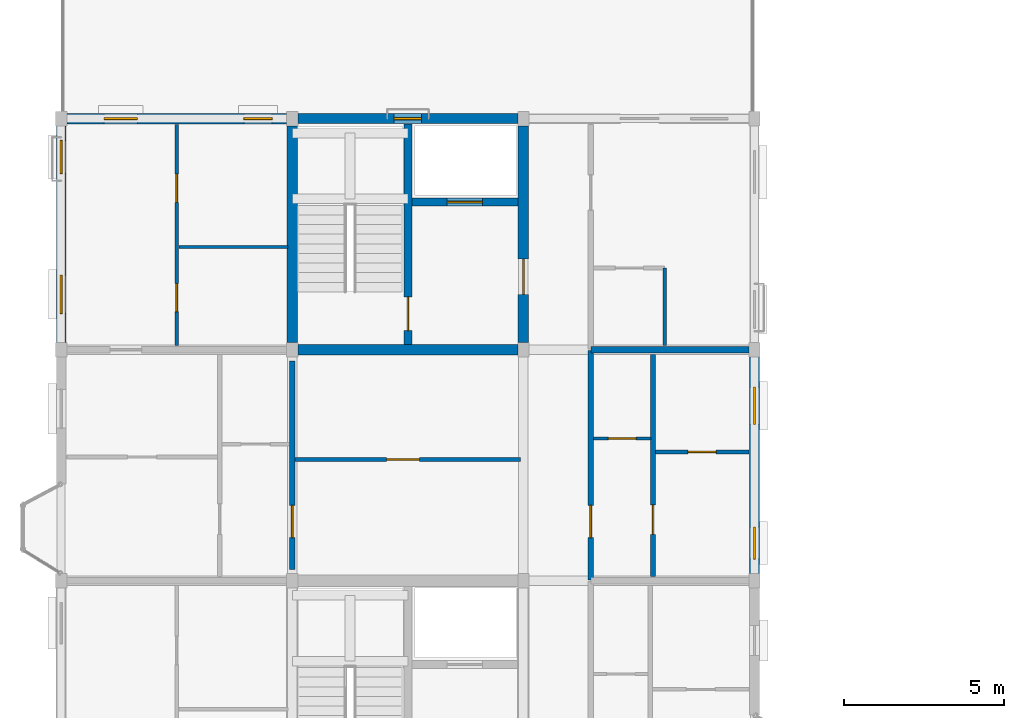
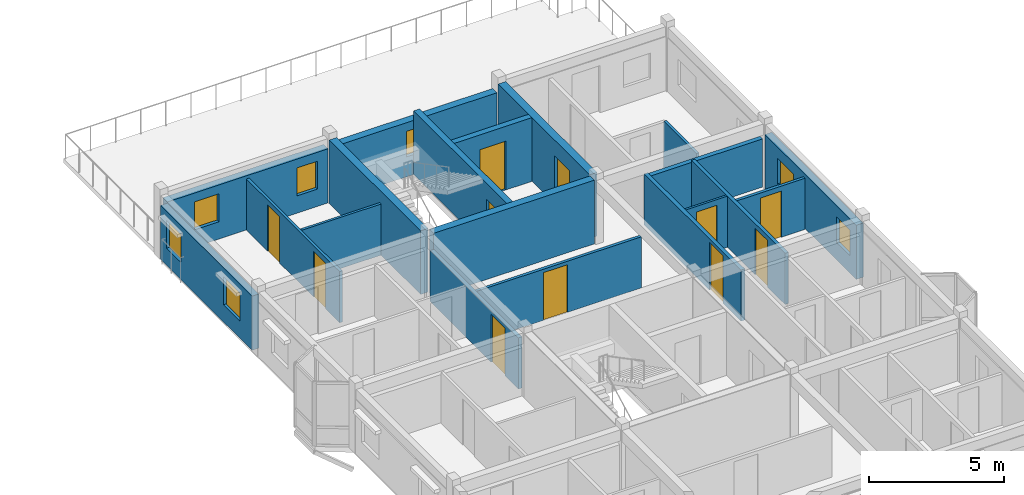
# One storey, part 18 of 22: 19 walls, 11 doors, 7 windows, 18 openings.
"""IFC4 building model written with IfcOpenShell, lengths in metres."""

from ifc_helpers import new_model, si_unit, direction, frame, frame_2d, origin, place, context, subcontext, project, spatial, rectangle, extrude, material, layer, layer_set, type_object, element, fill, save


model = new_model("IFC4")

# Units and contexts
model_context = context("Model", 3, precision=1e-05, world=origin(), true_north=direction((0.0, 1.0)))
body_context = subcontext(model_context, "Body", "Model", "MODEL_VIEW")
ifc_project = project(units=[si_unit("LENGTHUNIT", "METRE"), si_unit("AREAUNIT", "SQUARE_METRE"), si_unit("VOLUMEUNIT", "CUBIC_METRE"), si_unit("PLANEANGLEUNIT", "RADIAN"), si_unit("MASSUNIT", "GRAM", prefix="KILO"), si_unit("THERMODYNAMICTEMPERATUREUNIT", "KELVIN"), si_unit("POWERUNIT", "WATT")], contexts=[model_context])

# Site, building, storey
site_placement = place(None, origin())
site = spatial("IfcSite", under=ifc_project, at=site_placement, CompositionType="ELEMENT")
building_placement = place(site_placement, origin())
building = spatial("IfcBuilding", under=site, at=building_placement, Name="Tavuni Mirador Residences", CompositionType="ELEMENT")
storey_placement = place(building_placement, frame((0.0, 0.0, 45.449951171875)))
storey = spatial("IfcBuildingStorey", under=building, at=storey_placement, Name="L14", CompositionType="ELEMENT", Elevation=45.449951171875)

# Wall, opening, door
ifc_material_1 = material(Name="Precast concrete C40/50", Category="concrete")
ifc_layer_1 = layer(ifc_material_1, 0.25, Name="Precast concrete C40/50", Category="concrete")
ifc_layer_set_1 = layer_set([ifc_layer_1], Name="Precast concrete C40/50")
wall_type_1 = type_object("IfcWallType", Name="WT-COR250", PredefinedType="SHEAR", material=ifc_layer_set_1)
wall_1_placement = place(storey_placement, frame((14.39990234375, 28.9599609375, 0.0), z_axis=(0.0, 0.0, 1.0), x_axis=(0.0, 1.0, 0.0)))
wall_1 = element("IfcWall", 1, at=wall_1_placement, inside=storey, type_object=wall_type_1, Name="CWALL-C2-L14-MID", PredefinedType="SHEAR", context=body_context, shape_type="SweptSolid", body=[
    extrude(rectangle(XDim=6.880126953125, YDim=0.25, at=frame_2d((3.43994140625, 0.0))), origin(), (0.0, 0.0, 1.0), 2.8701171875),
])
opening_1_placement = place(wall_1_placement, frame((0.43994140625, 0.0, 0.0)))
opening_1 = element("IfcOpeningElement", 2, at=opening_1_placement, cuts=wall_1, Name="Opening D-01", PredefinedType="OPENING", context=body_context, shape_type="SweptSolid", body=[
    extrude(rectangle(XDim=1.050048828125, YDim=2.14990234375, at=frame_2d((0.52490234375, 1.074951171875))), frame((0.0, 0.135009765625, 0.0), z_axis=(0.0, -1.0, 0.0), x_axis=(1.0, 0.0, 0.0)), (0.0, 0.0, 1.0), 0.27001953125),
])
ifc_material_2 = material(Name="Solid core iroko timber", Category="wood")
door_type_1 = type_object("IfcDoorType", Name="DT-ST1050", OperationType="NOTDEFINED", PredefinedType="DOOR", material=ifc_material_2)
door_1_placement = place(opening_1_placement, origin())
door_1 = element("IfcDoor", 3, at=door_1_placement, inside=storey, type_object=door_type_1, Name="DR-2102", OperationType="SINGLE_SWING_RIGHT", OverallHeight=2.14990234375, OverallWidth=1.050048828125, PredefinedType="DOOR", context=body_context, shape_type="SweptSolid", body=[
    extrude(rectangle(XDim=1.050048828125, YDim=2.14990234375, at=frame_2d((0.52490234375, 1.074951171875))), frame((0.0, 0.02490234375, 0.0), z_axis=(0.0, -1.0, 0.0), x_axis=(1.0, 0.0, 0.0)), (0.0, 0.0, 1.0), 0.050048828125),
])
fill(opening_1, door_1)

wall_2_placement = place(storey_placement, frame((14.52490234375, 33.39990234375, 0.0), z_axis=(0.0, 0.0, 1.0), x_axis=(1.0, 0.0, 0.0)))
wall_2 = element("IfcWall", 4, at=wall_2_placement, inside=storey, type_object=wall_type_1, Name="CWALL-C2-L14-SHF", PredefinedType="SHEAR", context=body_context, shape_type="SweptSolid", body=[
    extrude(rectangle(XDim=3.315185546875, YDim=0.25, at=frame_2d((1.65771484375, 0.0))), origin(), (0.0, 0.0, 1.0), 2.8701171875),
])
opening_2_placement = place(wall_2_placement, frame((1.10009765625, 0.0, 0.0)))
opening_2 = element("IfcOpeningElement", 5, at=opening_2_placement, cuts=wall_2, Name="Opening LD-01", PredefinedType="OPENING", context=body_context, shape_type="SweptSolid", body=[
    extrude(rectangle(XDim=1.10009765625, YDim=2.199951171875, at=frame_2d((0.550048828125, 1.10009765625))), frame((0.0, 0.135009765625, 0.0), z_axis=(0.0, -1.0, 0.0), x_axis=(1.0, 0.0, 0.0)), (0.0, 0.0, 1.0), 0.27001953125),
])
ifc_material_3 = material(Name="Structural steel S355", Category="steel")
door_type_2 = type_object("IfcDoorType", Name="DT-LD-FF", OperationType="SLIDING_TO_LEFT", PredefinedType="DOOR", material=ifc_material_3)
door_2_placement = place(opening_2_placement, origin())
door_2 = element("IfcDoor", 6, at=door_2_placement, inside=storey, type_object=door_type_2, Name="Lift landing door FL-A2 L14", OperationType="SLIDING_TO_LEFT", OverallHeight=2.199951171875, OverallWidth=1.10009765625, PredefinedType="DOOR", context=body_context, shape_type="SweptSolid", body=[
    extrude(rectangle(XDim=1.10009765625, YDim=2.199951171875, at=frame_2d((0.550048828125, 1.10009765625))), frame((0.0, 0.02490234375, 0.0), z_axis=(0.0, -1.0, 0.0), x_axis=(1.0, 0.0, 0.0)), (0.0, 0.0, 1.0), 0.050048828125),
])
fill(opening_2, door_2)

# Wall
ifc_layer_2 = layer(ifc_material_1, 0.320068359375, Name="Precast concrete C40/50", Category="concrete")
ifc_layer_set_2 = layer_set([ifc_layer_2], Name="Precast concrete C40/50")
wall_type_2 = type_object("IfcWallType", Name="WT-COR320", PredefinedType="SHEAR", material=ifc_layer_set_2)
wall_3_placement = place(storey_placement, frame((10.800048828125, 29.02490234375, 0.0), z_axis=(0.0, 0.0, 1.0), x_axis=(0.0, 1.0, 0.0)))
element("IfcWall", 7, at=wall_3_placement, inside=storey, type_object=wall_type_2, Name="CWALL-C2-L14-W", PredefinedType="SHEAR", context=body_context, shape_type="SweptSolid", body=[
    extrude(rectangle(XDim=6.75, YDim=0.320068359375, at=frame_2d((3.375, 0.0))), origin(), (0.0, 0.0, 1.0), 2.8701171875),
])

# Wall, opening, door
wall_4_placement = place(storey_placement, frame((18.0, 29.02490234375, 0.0), z_axis=(0.0, 0.0, 1.0), x_axis=(0.0, 1.0, 0.0)))
wall_4 = element("IfcWall", 8, at=wall_4_placement, inside=storey, type_object=wall_type_2, Name="CWALL-C2-L14-E", PredefinedType="SHEAR", context=body_context, shape_type="SweptSolid", body=[
    extrude(rectangle(XDim=6.75, YDim=0.320068359375, at=frame_2d((3.375, 0.0))), origin(), (0.0, 0.0, 1.0), 2.8701171875),
])
opening_3_placement = place(wall_4_placement, frame((1.5, 0.0, 0.0)))
opening_3 = element("IfcOpeningElement", 9, at=opening_3_placement, cuts=wall_4, Name="Opening D-02", PredefinedType="OPENING", context=body_context, shape_type="SweptSolid", body=[
    extrude(rectangle(XDim=1.10009765625, YDim=2.14990234375, at=frame_2d((0.550048828125, 1.074951171875))), frame((0.0, 0.169921875, 0.0), z_axis=(0.0, -1.0, 0.0), x_axis=(1.0, 0.0, 0.0)), (0.0, 0.0, 1.0), 0.340087890625),
])
door_type_3 = type_object("IfcDoorType", Name="DT-LOB1100", OperationType="NOTDEFINED", PredefinedType="DOOR", material=ifc_material_2)
door_3_placement = place(opening_3_placement, frame((1.10009765625, 0.0, 0.0), z_axis=(0.0, 0.0, 1.0), x_axis=(-1.0, 0.0, 0.0)))
door_3 = element("IfcDoor", 10, at=door_3_placement, inside=storey, type_object=door_type_3, Name="DR-2101", OperationType="SINGLE_SWING_RIGHT", OverallHeight=2.14990234375, OverallWidth=1.10009765625, PredefinedType="DOOR", context=body_context, shape_type="SweptSolid", body=[
    extrude(rectangle(XDim=1.10009765625, YDim=2.14990234375, at=frame_2d((0.550048828125, 1.074951171875))), frame((0.0, 0.02490234375, 0.0), z_axis=(0.0, -1.0, 0.0), x_axis=(1.0, 0.0, 0.0)), (0.0, 0.0, 1.0), 0.050048828125),
])
fill(opening_3, door_3)

# Wall
wall_5_placement = place(storey_placement, frame((10.97509765625, 28.800048828125, 0.0), z_axis=(0.0, 0.0, 1.0), x_axis=(1.0, 0.0, 0.0)))
element("IfcWall", 11, at=wall_5_placement, inside=storey, type_object=wall_type_2, Name="CWALL-C2-L14-SS", PredefinedType="SHEAR", context=body_context, shape_type="SweptSolid", body=[
    extrude(rectangle(XDim=6.849853515625, YDim=0.320068359375, at=frame_2d((3.4248046875, 0.0))), origin(), (0.0, 0.0, 1.0), 2.8701171875),
])

# Wall, opening, door
ifc_layer_3 = layer(ifc_material_1, 0.1650390625, Name="Precast concrete C40/50", Category="concrete")
ifc_layer_set_3 = layer_set([ifc_layer_3], Name="Precast concrete C40/50")
wall_type_3 = type_object("IfcWallType", Name="WT-CORR165", PredefinedType="PARTITIONING", material=ifc_layer_set_3)
wall_6_placement = place(storey_placement, frame((20.10009765625, 21.6201171875, 0.0), z_axis=(0.0, 0.0, 1.0), x_axis=(0.0, 1.0, 0.0)))
wall_6 = element("IfcWall", 12, at=wall_6_placement, inside=storey, type_object=wall_type_3, Name="CORW-BLK-A-L14-0-02", PredefinedType="PARTITIONING", context=body_context, shape_type="SweptSolid", body=[
    extrude(rectangle(XDim=7.159912109375, YDim=0.1650390625, at=frame_2d((3.580078125, 0.0))), origin(), (0.0, 0.0, 1.0), 2.304931640625),
])
opening_4_placement = place(wall_6_placement, frame((1.330078125, 0.0, 0.0)))
opening_4 = element("IfcOpeningElement", 13, at=opening_4_placement, cuts=wall_6, Name="Opening D-03", PredefinedType="OPENING", context=body_context, shape_type="SweptSolid", body=[
    extrude(rectangle(XDim=1.0, YDim=2.14990234375, at=frame_2d((0.5, 1.074951171875))), frame((0.0, 0.092529296875, 0.0), z_axis=(0.0, -1.0, 0.0), x_axis=(1.0, 0.0, 0.0)), (0.0, 0.0, 1.0), 0.18505859375),
])
door_type_4 = type_object("IfcDoorType", Name="DT-FD60-1000", OperationType="NOTDEFINED", PredefinedType="DOOR", material=ifc_material_2)
door_4_placement = place(opening_4_placement, origin())
door_4 = element("IfcDoor", 14, at=door_4_placement, inside=storey, type_object=door_type_4, Name="DR-2511", OperationType="SINGLE_SWING_RIGHT", OverallHeight=2.14990234375, OverallWidth=1.0, PredefinedType="DOOR", context=body_context, shape_type="SweptSolid", body=[
    extrude(rectangle(XDim=1.0, YDim=2.14990234375, at=frame_2d((0.5, 1.074951171875))), frame((0.0, 0.02490234375, 0.0), z_axis=(0.0, -1.0, 0.0), x_axis=(1.0, 0.0, 0.0)), (0.0, 0.0, 1.0), 0.050048828125),
])
fill(opening_4, door_4)

wall_7_placement = place(storey_placement, frame((10.800048828125, 21.949951171875, 0.0), z_axis=(0.0, 0.0, 1.0), x_axis=(0.0, 1.0, 0.0)))
wall_7 = element("IfcWall", 15, at=wall_7_placement, inside=storey, type_object=wall_type_3, Name="CORW-BLK-A-L14-1-02", PredefinedType="PARTITIONING", context=body_context, shape_type="SweptSolid", body=[
    extrude(rectangle(XDim=6.5, YDim=0.1650390625, at=frame_2d((3.25, 0.0))), origin(), (0.0, 0.0, 1.0), 2.304931640625),
])
opening_5_placement = place(wall_7_placement, frame((1.0, 0.0, 0.0)))
opening_5 = element("IfcOpeningElement", 16, at=opening_5_placement, cuts=wall_7, Name="Opening D-03", PredefinedType="OPENING", context=body_context, shape_type="SweptSolid", body=[
    extrude(rectangle(XDim=1.0, YDim=2.14990234375, at=frame_2d((0.5, 1.074951171875))), frame((0.0, 0.092529296875, 0.0), z_axis=(0.0, -1.0, 0.0), x_axis=(1.0, 0.0, 0.0)), (0.0, 0.0, 1.0), 0.18505859375),
])
door_5_placement = place(opening_5_placement, origin())
door_5 = element("IfcDoor", 17, at=door_5_placement, inside=storey, type_object=door_type_4, Name="DR-2514", OperationType="SINGLE_SWING_LEFT", OverallHeight=2.14990234375, OverallWidth=1.0, PredefinedType="DOOR", context=body_context, shape_type="SweptSolid", body=[
    extrude(rectangle(XDim=1.0, YDim=2.14990234375, at=frame_2d((0.5, 1.074951171875))), frame((0.0, 0.02490234375, 0.0), z_axis=(0.0, -1.0, 0.0), x_axis=(1.0, 0.0, 0.0)), (0.0, 0.0, 1.0), 0.050048828125),
])
fill(opening_5, door_5)

# Wall, openings, windows
ifc_layer_4 = layer(ifc_material_1, 0.330078125, Name="Precast concrete C40/50", Category="concrete")
ifc_layer_set_4 = layer_set([ifc_layer_4], Name="Precast concrete C40/50")
wall_type_4 = type_object("IfcWallType", Name="WT-EXT-COR330", PredefinedType="SOLIDWALL", material=ifc_layer_set_4)
wall_8_placement = place(storey_placement, frame((10.625, 36.0, 0.0), z_axis=(0.0, 0.0, 1.0), x_axis=(-1.0, 0.0, 0.0)))
wall_8 = element("IfcWall", 18, at=wall_8_placement, inside=storey, type_object=wall_type_4, Name="EW-BLK-A-L14-N00", PredefinedType="SOLIDWALL", context=body_context, shape_type="SweptSolid", body=[
    extrude(rectangle(XDim=6.85009765625, YDim=0.330078125, at=frame_2d((3.425048828125, 0.0))), origin(), (0.0, 0.0, 1.0), 2.43994140625),
])
opening_6_placement = place(wall_8_placement, frame((0.449951171875, 0.0, 0.780029296875)))
opening_6 = element("IfcOpeningElement", 19, at=opening_6_placement, cuts=wall_8, Name="Opening WN-09", PredefinedType="OPENING", context=body_context, shape_type="SweptSolid", body=[
    extrude(rectangle(XDim=0.8798828125, YDim=1.260009765625, at=frame_2d((0.43994140625, 0.6298828125))), frame((0.0, 0.175048828125, 0.0), z_axis=(0.0, -1.0, 0.0), x_axis=(1.0, 0.0, 0.0)), (0.0, 0.0, 1.0), 0.35009765625),
])
opening_7_placement = place(wall_8_placement, frame((4.64990234375, 0.0, 0.780029296875)))
opening_7 = element("IfcOpeningElement", 20, at=opening_7_placement, cuts=wall_8, Name="Opening WN-11", PredefinedType="OPENING", context=body_context, shape_type="SweptSolid", body=[
    extrude(rectangle(XDim=1.0400390625, YDim=1.260009765625, at=frame_2d((0.52001953125, 0.6298828125))), frame((0.0, 0.175048828125, 0.0), z_axis=(0.0, -1.0, 0.0), x_axis=(1.0, 0.0, 0.0)), (0.0, 0.0, 1.0), 0.35009765625),
])
ifc_material_4 = material(Name="Laminated solar-control glass", Category="glass")
window_type_1 = type_object("IfcWindowType", Name="WNT-09", PartitioningType="SINGLE_PANEL", PredefinedType="WINDOW", material=ifc_material_4)
window_1_placement = place(opening_6_placement, origin())
window_1 = element("IfcWindow", 21, at=window_1_placement, inside=storey, type_object=window_type_1, Name="WIN-0504", OverallHeight=1.260009765625, OverallWidth=0.8798828125, PartitioningType="SINGLE_PANEL", PredefinedType="WINDOW", context=body_context, shape_type="SweptSolid", body=[
    extrude(rectangle(XDim=0.8798828125, YDim=1.260009765625, at=frame_2d((0.43994140625, 0.6298828125))), frame((0.0, 0.030029296875, 0.0), z_axis=(0.0, -1.0, 0.0), x_axis=(1.0, 0.0, 0.0)), (0.0, 0.0, 1.0), 0.06005859375),
])
fill(opening_6, window_1)
window_type_2 = type_object("IfcWindowType", Name="WNT-11", PartitioningType="SINGLE_PANEL", PredefinedType="WINDOW", material=ifc_material_4)
window_2_placement = place(opening_7_placement, origin())
window_2 = element("IfcWindow", 22, at=window_2_placement, inside=storey, type_object=window_type_2, Name="WIN-0505", OverallHeight=1.260009765625, OverallWidth=1.0400390625, PartitioningType="SINGLE_PANEL", PredefinedType="WINDOW", context=body_context, shape_type="SweptSolid", body=[
    extrude(rectangle(XDim=1.0400390625, YDim=1.260009765625, at=frame_2d((0.52001953125, 0.6298828125))), frame((0.0, 0.030029296875, 0.0), z_axis=(0.0, -1.0, 0.0), x_axis=(1.0, 0.0, 0.0)), (0.0, 0.0, 1.0), 0.06005859375),
])
fill(opening_7, window_2)

ifc_material_5 = material(Name="Sgraffito lime-rendered precast concrete C40/50", Category="concrete")
ifc_layer_5 = layer(ifc_material_5, 0.2900390625, Name="Sgraffito lime-rendered precast concrete C40/50", Category="concrete")
ifc_layer_set_5 = layer_set([ifc_layer_5], Name="Sgraffito lime-rendered precast concrete C40/50")
wall_type_5 = type_object("IfcWallType", Name="WT-EXT-PC290", PredefinedType="SOLIDWALL", material=ifc_layer_set_5)
wall_9_placement = place(storey_placement, frame((3.60009765625, 35.77490234375, 0.0), z_axis=(0.0, 0.0, 1.0), x_axis=(0.0, -1.0, 0.0)))
wall_9 = element("IfcWall", 23, at=wall_9_placement, inside=storey, type_object=wall_type_5, Name="EW-BLK-A-L14-W03", PredefinedType="SOLIDWALL", context=body_context, shape_type="SweptSolid", body=[
    extrude(rectangle(XDim=6.75, YDim=0.2900390625, at=frame_2d((3.375, 0.0))), origin(), (0.0, 0.0, 1.0), 2.43994140625),
])
opening_8_placement = place(wall_9_placement, frame((0.449951171875, 0.0, 0.780029296875)))
opening_8 = element("IfcOpeningElement", 24, at=opening_8_placement, cuts=wall_9, Name="Opening WN-11", PredefinedType="OPENING", context=body_context, shape_type="SweptSolid", body=[
    extrude(rectangle(XDim=1.0400390625, YDim=1.260009765625, at=frame_2d((0.52001953125, 0.6298828125))), frame((0.0, 0.155029296875, 0.0), z_axis=(0.0, -1.0, 0.0), x_axis=(1.0, 0.0, 0.0)), (0.0, 0.0, 1.0), 0.31005859375),
])
opening_9_placement = place(wall_9_placement, frame((4.64990234375, 0.0, 0.780029296875)))
opening_9 = element("IfcOpeningElement", 25, at=opening_9_placement, cuts=wall_9, Name="Opening WN-13", PredefinedType="OPENING", context=body_context, shape_type="SweptSolid", body=[
    extrude(rectangle(XDim=1.199951171875, YDim=1.260009765625, at=frame_2d((0.60009765625, 0.6298828125))), frame((0.0, 0.155029296875, 0.0), z_axis=(0.0, -1.0, 0.0), x_axis=(1.0, 0.0, 0.0)), (0.0, 0.0, 1.0), 0.31005859375),
])
window_3_placement = place(opening_8_placement, origin())
window_3 = element("IfcWindow", 26, at=window_3_placement, inside=storey, type_object=window_type_2, Name="WIN-0506", OverallHeight=1.260009765625, OverallWidth=1.0400390625, PartitioningType="SINGLE_PANEL", PredefinedType="WINDOW", context=body_context, shape_type="SweptSolid", body=[
    extrude(rectangle(XDim=1.0400390625, YDim=1.260009765625, at=frame_2d((0.52001953125, 0.6298828125))), frame((0.0, 0.030029296875, 0.0), z_axis=(0.0, -1.0, 0.0), x_axis=(1.0, 0.0, 0.0)), (0.0, 0.0, 1.0), 0.06005859375),
])
fill(opening_8, window_3)
window_type_3 = type_object("IfcWindowType", Name="WNT-13", PartitioningType="SINGLE_PANEL", PredefinedType="WINDOW", material=ifc_material_4)
window_4_placement = place(opening_9_placement, origin())
window_4 = element("IfcWindow", 27, at=window_4_placement, inside=storey, type_object=window_type_3, Name="WIN-0507", OverallHeight=1.260009765625, OverallWidth=1.199951171875, PartitioningType="SINGLE_PANEL", PredefinedType="WINDOW", context=body_context, shape_type="SweptSolid", body=[
    extrude(rectangle(XDim=1.199951171875, YDim=1.260009765625, at=frame_2d((0.60009765625, 0.6298828125))), frame((0.0, 0.030029296875, 0.0), z_axis=(0.0, -1.0, 0.0), x_axis=(1.0, 0.0, 0.0)), (0.0, 0.0, 1.0), 0.06005859375),
])
fill(opening_9, window_4)

ifc_layer_6 = layer(ifc_material_5, 0.304931640625, Name="Sgraffito lime-rendered precast concrete C40/50", Category="concrete")
ifc_layer_set_6 = layer_set([ifc_layer_6], Name="Sgraffito lime-rendered precast concrete C40/50")
wall_type_6 = type_object("IfcWallType", Name="WT-EXT-PC305", PredefinedType="SOLIDWALL", material=ifc_layer_set_6)
wall_10_placement = place(storey_placement, frame((25.199951171875, 21.824951171875, 0.0), z_axis=(0.0, 0.0, 1.0), x_axis=(0.0, 1.0, 0.0)))
wall_10 = element("IfcWall", 28, at=wall_10_placement, inside=storey, type_object=wall_type_6, Name="EW-BLK-A-L14-E02", PredefinedType="SOLIDWALL", context=body_context, shape_type="SweptSolid", body=[
    extrude(rectangle(XDim=6.75, YDim=0.304931640625, at=frame_2d((3.375, 0.0))), origin(), (0.0, 0.0, 1.0), 2.43994140625),
])
opening_10_placement = place(wall_10_placement, frame((0.449951171875, 0.0, 0.780029296875)))
opening_10 = element("IfcOpeningElement", 29, at=opening_10_placement, cuts=wall_10, Name="Opening WN-03", PredefinedType="OPENING", context=body_context, shape_type="SweptSolid", body=[
    extrude(rectangle(XDim=1.0, YDim=1.14990234375, at=frame_2d((0.5, 0.574951171875))), frame((0.0, 0.16259765625, 0.0), z_axis=(0.0, -1.0, 0.0), x_axis=(1.0, 0.0, 0.0)), (0.0, 0.0, 1.0), 0.324951171875),
])
opening_11_placement = place(wall_10_placement, frame((4.64990234375, 0.0, 0.780029296875)))
opening_11 = element("IfcOpeningElement", 30, at=opening_11_placement, cuts=wall_10, Name="Opening WN-05", PredefinedType="OPENING", context=body_context, shape_type="SweptSolid", body=[
    extrude(rectangle(XDim=1.159912109375, YDim=1.14990234375, at=frame_2d((0.580078125, 0.574951171875))), frame((0.0, 0.16259765625, 0.0), z_axis=(0.0, -1.0, 0.0), x_axis=(1.0, 0.0, 0.0)), (0.0, 0.0, 1.0), 0.324951171875),
])
window_type_4 = type_object("IfcWindowType", Name="WNT-03", PartitioningType="SINGLE_PANEL", PredefinedType="WINDOW", material=ifc_material_4)
window_5_placement = place(opening_10_placement, origin())
window_5 = element("IfcWindow", 31, at=window_5_placement, inside=storey, type_object=window_type_4, Name="WIN-0498", OverallHeight=1.14990234375, OverallWidth=1.0, PartitioningType="SINGLE_PANEL", PredefinedType="WINDOW", context=body_context, shape_type="SweptSolid", body=[
    extrude(rectangle(XDim=1.0, YDim=1.14990234375, at=frame_2d((0.5, 0.574951171875))), frame((0.0, 0.030029296875, 0.0), z_axis=(0.0, -1.0, 0.0), x_axis=(1.0, 0.0, 0.0)), (0.0, 0.0, 1.0), 0.06005859375),
])
fill(opening_10, window_5)
window_type_5 = type_object("IfcWindowType", Name="WNT-05", PartitioningType="SINGLE_PANEL", PredefinedType="WINDOW", material=ifc_material_4)
window_6_placement = place(opening_11_placement, origin())
window_6 = element("IfcWindow", 32, at=window_6_placement, inside=storey, type_object=window_type_5, Name="WIN-0499", OverallHeight=1.14990234375, OverallWidth=1.159912109375, PartitioningType="SINGLE_PANEL", PredefinedType="WINDOW", context=body_context, shape_type="SweptSolid", body=[
    extrude(rectangle(XDim=1.159912109375, YDim=1.14990234375, at=frame_2d((0.580078125, 0.574951171875))), frame((0.0, 0.030029296875, 0.0), z_axis=(0.0, -1.0, 0.0), x_axis=(1.0, 0.0, 0.0)), (0.0, 0.0, 1.0), 0.06005859375),
])
fill(opening_11, window_6)

# Wall, opening, window
ifc_layer_7 = layer(ifc_material_5, 0.31494140625, Name="Sgraffito lime-rendered precast concrete C40/50", Category="concrete")
ifc_layer_set_7 = layer_set([ifc_layer_7], Name="Sgraffito lime-rendered precast concrete C40/50")
wall_type_7 = type_object("IfcWallType", Name="WT-EXT-PC315", PredefinedType="SOLIDWALL", material=ifc_layer_set_7)
wall_11_placement = place(storey_placement, frame((17.824951171875, 36.0, 0.0), z_axis=(0.0, 0.0, 1.0), x_axis=(-1.0, 0.0, 0.0)))
wall_11 = element("IfcWall", 33, at=wall_11_placement, inside=storey, type_object=wall_type_7, Name="EW-BLK-A-L14-N01", PredefinedType="SOLIDWALL", context=body_context, shape_type="SweptSolid", body=[
    extrude(rectangle(XDim=6.849853515625, YDim=0.31494140625, at=frame_2d((3.4248046875, 0.0))), origin(), (0.0, 0.0, 1.0), 2.43994140625),
])
opening_12_placement = place(wall_11_placement, frame((3.0, 0.0, 0.89990234375)))
opening_12 = element("IfcOpeningElement", 34, at=opening_12_placement, cuts=wall_11, Name="Opening WN-01", PredefinedType="OPENING", context=body_context, shape_type="SweptSolid", body=[
    extrude(rectangle(XDim=0.85009765625, YDim=1.14990234375, at=frame_2d((0.425048828125, 0.574951171875))), frame((0.0, 0.16748046875, 0.0), z_axis=(0.0, -1.0, 0.0), x_axis=(1.0, 0.0, 0.0)), (0.0, 0.0, 1.0), 0.3349609375),
])
window_type_6 = type_object("IfcWindowType", Name="WNT-01", PartitioningType="SINGLE_PANEL", PredefinedType="WINDOW", material=ifc_material_4)
window_7_placement = place(opening_12_placement, origin())
window_7 = element("IfcWindow", 35, at=window_7_placement, inside=storey, type_object=window_type_6, Name="WIN-0503", OverallHeight=1.14990234375, OverallWidth=0.85009765625, PartitioningType="SINGLE_PANEL", PredefinedType="WINDOW", context=body_context, shape_type="SweptSolid", body=[
    extrude(rectangle(XDim=0.85009765625, YDim=1.14990234375, at=frame_2d((0.425048828125, 0.574951171875))), frame((0.0, 0.030029296875, 0.0), z_axis=(0.0, -1.0, 0.0), x_axis=(1.0, 0.0, 0.0)), (0.0, 0.0, 1.0), 0.06005859375),
])
fill(opening_12, window_7)

# Wall, opening, door
ifc_material_6 = material(Name="Acoustic gypsum and concrete block partition", Category="concrete")
ifc_layer_8 = layer(ifc_material_6, 0.094970703125, Name="Acoustic gypsum and concrete block partition", Category="concrete")
ifc_layer_set_8 = layer_set([ifc_layer_8], Name="Acoustic gypsum and concrete block partition")
wall_type_8 = type_object("IfcWallType", Name="WT-PART095", PredefinedType="PARTITIONING", material=ifc_layer_set_8)
wall_12_placement = place(storey_placement, frame((20.18994140625, 26.0400390625, 0.0), z_axis=(0.0, 0.0, 1.0), x_axis=(1.0, 0.0, 0.0)))
wall_12 = element("IfcWall", 36, at=wall_12_placement, inside=storey, type_object=wall_type_8, Name="PW-BLK-A-L14-E02-IN1", PredefinedType="PARTITIONING", context=body_context, shape_type="SweptSolid", body=[
    extrude(rectangle(XDim=1.780029296875, YDim=0.094970703125, at=frame_2d((0.89013671875, 0.0))), origin(), (0.0, 0.0, 1.0), 2.304931640625),
])
opening_13_placement = place(wall_12_placement, frame((0.455078125, 0.0, 0.0)))
opening_13 = element("IfcOpeningElement", 37, at=opening_13_placement, cuts=wall_12, Name="Opening D-10", PredefinedType="OPENING", context=body_context, shape_type="SweptSolid", body=[
    extrude(rectangle(XDim=0.8701171875, YDim=2.050048828125, at=frame_2d((0.43505859375, 1.02490234375))), frame((0.0, 0.0576171875, 0.0), z_axis=(0.0, -1.0, 0.0), x_axis=(1.0, 0.0, 0.0)), (0.0, 0.0, 1.0), 0.114990234375),
])
door_type_5 = type_object("IfcDoorType", Name="DT-WC870", OperationType="NOTDEFINED", PredefinedType="DOOR", material=ifc_material_2)
door_6_placement = place(opening_13_placement, origin())
door_6 = element("IfcDoor", 38, at=door_6_placement, inside=storey, type_object=door_type_5, Name="DR-3395", OperationType="SINGLE_SWING_LEFT", OverallHeight=2.050048828125, OverallWidth=0.8701171875, PredefinedType="DOOR", context=body_context, shape_type="SweptSolid", body=[
    extrude(rectangle(XDim=0.8701171875, YDim=2.050048828125, at=frame_2d((0.43505859375, 1.02490234375))), frame((0.0, 0.02490234375, 0.0), z_axis=(0.0, -1.0, 0.0), x_axis=(1.0, 0.0, 0.0)), (0.0, 0.0, 1.0), 0.050048828125),
])
fill(opening_13, door_6)

# Wall
ifc_layer_9 = layer(ifc_material_6, 0.10498046875, Name="Acoustic gypsum and concrete block partition", Category="concrete")
ifc_layer_set_9 = layer_set([ifc_layer_9], Name="Acoustic gypsum and concrete block partition")
wall_type_9 = type_object("IfcWallType", Name="WT-PART105", PredefinedType="PARTITIONING", material=ifc_layer_set_9)
wall_13_placement = place(storey_placement, frame((7.27001953125, 32.0, 0.0), z_axis=(0.0, 0.0, 1.0), x_axis=(1.0, 0.0, 0.0)))
element("IfcWall", 39, at=wall_13_placement, inside=storey, type_object=wall_type_9, Name="PW-BLK-A-L14-WC03-H", PredefinedType="PARTITIONING", context=body_context, shape_type="SweptSolid", body=[
    extrude(rectangle(XDim=3.389892578125, YDim=0.10498046875, at=frame_2d((1.69482421875, 0.0))), origin(), (0.0, 0.0, 1.0), 2.304931640625),
])

# Wall, openings, doors
ifc_layer_10 = layer(ifc_material_6, 0.114990234375, Name="Acoustic gypsum and concrete block partition", Category="concrete")
ifc_layer_set_10 = layer_set([ifc_layer_10], Name="Acoustic gypsum and concrete block partition")
wall_type_10 = type_object("IfcWallType", Name="WT-PART115", PredefinedType="PARTITIONING", material=ifc_layer_set_10)
wall_14_placement = place(storey_placement, frame((7.199951171875, 28.93994140625, 0.0), z_axis=(0.0, 0.0, 1.0), x_axis=(0.0, 1.0, 0.0)))
wall_14 = element("IfcWall", 40, at=wall_14_placement, inside=storey, type_object=wall_type_10, Name="PW-BLK-A-L14-WC03-M", PredefinedType="PARTITIONING", context=body_context, shape_type="SweptSolid", body=[
    extrude(rectangle(XDim=6.885009765625, YDim=0.114990234375, at=frame_2d((3.4423828125, 0.0))), origin(), (0.0, 0.0, 1.0), 2.304931640625),
])
opening_14_placement = place(wall_14_placement, frame((1.050048828125, 0.0, 0.0)))
opening_14 = element("IfcOpeningElement", 41, at=opening_14_placement, cuts=wall_14, Name="Opening D-10", PredefinedType="OPENING", context=body_context, shape_type="SweptSolid", body=[
    extrude(rectangle(XDim=0.8701171875, YDim=2.050048828125, at=frame_2d((0.43505859375, 1.02490234375))), frame((0.0, 0.0673828125, 0.0), z_axis=(0.0, -1.0, 0.0), x_axis=(1.0, 0.0, 0.0)), (0.0, 0.0, 1.0), 0.135009765625),
])
opening_15_placement = place(wall_14_placement, frame((4.449951171875, 0.0, 0.0)))
opening_15 = element("IfcOpeningElement", 42, at=opening_15_placement, cuts=wall_14, Name="Opening D-08", PredefinedType="OPENING", context=body_context, shape_type="SweptSolid", body=[
    extrude(rectangle(XDim=0.8798828125, YDim=2.080078125, at=frame_2d((0.43994140625, 1.0400390625))), frame((0.0, 0.0673828125, 0.0), z_axis=(0.0, -1.0, 0.0), x_axis=(1.0, 0.0, 0.0)), (0.0, 0.0, 1.0), 0.135009765625),
])
door_type_6 = type_object("IfcDoorType", Name="DT-BED880", OperationType="NOTDEFINED", PredefinedType="DOOR", material=ifc_material_2)
door_7_placement = place(opening_15_placement, origin())
door_7 = element("IfcDoor", 43, at=door_7_placement, inside=storey, type_object=door_type_6, Name="DR-3398", OperationType="SINGLE_SWING_LEFT", OverallHeight=2.080078125, OverallWidth=0.8798828125, PredefinedType="DOOR", context=body_context, shape_type="SweptSolid", body=[
    extrude(rectangle(XDim=0.8798828125, YDim=2.080078125, at=frame_2d((0.43994140625, 1.0400390625))), frame((0.0, 0.02490234375, 0.0), z_axis=(0.0, -1.0, 0.0), x_axis=(1.0, 0.0, 0.0)), (0.0, 0.0, 1.0), 0.050048828125),
])
fill(opening_15, door_7)
door_8_placement = place(opening_14_placement, origin())
door_8 = element("IfcDoor", 44, at=door_8_placement, inside=storey, type_object=door_type_5, Name="DR-3397", OperationType="SINGLE_SWING_RIGHT", OverallHeight=2.050048828125, OverallWidth=0.8701171875, PredefinedType="DOOR", context=body_context, shape_type="SweptSolid", body=[
    extrude(rectangle(XDim=0.8701171875, YDim=2.050048828125, at=frame_2d((0.43505859375, 1.02490234375))), frame((0.0, 0.02490234375, 0.0), z_axis=(0.0, -1.0, 0.0), x_axis=(1.0, 0.0, 0.0)), (0.0, 0.0, 1.0), 0.050048828125),
])
fill(opening_14, door_8)

# Wall
wall_15_placement = place(storey_placement, frame((22.39990234375, 28.93994140625, 0.0), z_axis=(0.0, 0.0, 1.0), x_axis=(0.0, 1.0, 0.0)))
element("IfcWall", 45, at=wall_15_placement, inside=storey, type_object=wall_type_10, Name="PW-BLK-A-L14-E03-1", PredefinedType="PARTITIONING", context=body_context, shape_type="SweptSolid", body=[
    extrude(rectangle(XDim=2.41015625, YDim=0.114990234375, at=frame_2d((1.205078125, 0.0))), origin(), (0.0, 0.0, 1.0), 2.304931640625),
])

# Wall, opening, door
ifc_layer_11 = layer(ifc_material_6, 0.125, Name="Acoustic gypsum and concrete block partition", Category="concrete")
ifc_layer_set_11 = layer_set([ifc_layer_11], Name="Acoustic gypsum and concrete block partition")
wall_type_11 = type_object("IfcWallType", Name="WT-PART125", PredefinedType="PARTITIONING", material=ifc_layer_set_11)
wall_16_placement = place(storey_placement, frame((10.889892578125, 25.3798828125, 0.0), z_axis=(0.0, 0.0, 1.0), x_axis=(1.0, 0.0, 0.0)))
wall_16 = element("IfcWall", 46, at=wall_16_placement, inside=storey, type_object=wall_type_11, Name="PW-SPN-BLK-A-L14-02", PredefinedType="PARTITIONING", context=body_context, shape_type="SweptSolid", body=[
    extrude(rectangle(XDim=7.02001953125, YDim=0.125, at=frame_2d((3.510009765625, 0.0))), origin(), (0.0, 0.0, 1.0), 2.304931640625),
])
opening_16_placement = place(wall_16_placement, frame((2.85009765625, 0.0, 0.0)))
opening_16 = element("IfcOpeningElement", 47, at=opening_16_placement, cuts=wall_16, Name="Opening D-13", PredefinedType="OPENING", context=body_context, shape_type="SweptSolid", body=[
    extrude(rectangle(XDim=1.02001953125, YDim=2.14990234375, at=frame_2d((0.510009765625, 1.074951171875))), frame((0.0, 0.072509765625, 0.0), z_axis=(0.0, -1.0, 0.0), x_axis=(1.0, 0.0, 0.0)), (0.0, 0.0, 1.0), 0.14501953125),
])
door_type_7 = type_object("IfcDoorType", Name="DT-MTG1020", OperationType="NOTDEFINED", PredefinedType="DOOR", material=ifc_material_2)
door_9_placement = place(opening_16_placement, origin())
door_9 = element("IfcDoor", 48, at=door_9_placement, inside=storey, type_object=door_type_7, Name="DR-3390", OperationType="SINGLE_SWING_LEFT", OverallHeight=2.14990234375, OverallWidth=1.02001953125, PredefinedType="DOOR", context=body_context, shape_type="SweptSolid", body=[
    extrude(rectangle(XDim=1.02001953125, YDim=2.14990234375, at=frame_2d((0.510009765625, 1.074951171875))), frame((0.0, 0.02490234375, 0.0), z_axis=(0.0, -1.0, 0.0), x_axis=(1.0, 0.0, 0.0)), (0.0, 0.0, 1.0), 0.050048828125),
])
fill(opening_16, door_9)

wall_17_placement = place(storey_placement, frame((22.110107421875, 25.6201171875, 0.0), z_axis=(0.0, 0.0, 1.0), x_axis=(1.0, 0.0, 0.0)))
wall_17 = element("IfcWall", 49, at=wall_17_placement, inside=storey, type_object=wall_type_11, Name="PW-BLK-A-L14-E02-OUT", PredefinedType="PARTITIONING", context=body_context, shape_type="SweptSolid", body=[
    extrude(rectangle(XDim=2.914794921875, YDim=0.125, at=frame_2d((1.45751953125, 0.0))), origin(), (0.0, 0.0, 1.0), 2.304931640625),
])
opening_17_placement = place(wall_17_placement, frame((1.017578125, 0.0, 0.0)))
opening_17 = element("IfcOpeningElement", 50, at=opening_17_placement, cuts=wall_17, Name="Opening D-08", PredefinedType="OPENING", context=body_context, shape_type="SweptSolid", body=[
    extrude(rectangle(XDim=0.8798828125, YDim=2.080078125, at=frame_2d((0.43994140625, 1.0400390625))), frame((0.0, 0.072509765625, 0.0), z_axis=(0.0, -1.0, 0.0), x_axis=(1.0, 0.0, 0.0)), (0.0, 0.0, 1.0), 0.14501953125),
])
door_10_placement = place(opening_17_placement, origin())
door_10 = element("IfcDoor", 51, at=door_10_placement, inside=storey, type_object=door_type_6, Name="DR-3394", OperationType="SINGLE_SWING_RIGHT", OverallHeight=2.080078125, OverallWidth=0.8798828125, PredefinedType="DOOR", context=body_context, shape_type="SweptSolid", body=[
    extrude(rectangle(XDim=0.8798828125, YDim=2.080078125, at=frame_2d((0.43994140625, 1.0400390625))), frame((0.0, 0.02490234375, 0.0), z_axis=(0.0, -1.0, 0.0), x_axis=(1.0, 0.0, 0.0)), (0.0, 0.0, 1.0), 0.050048828125),
])
fill(opening_17, door_10)

ifc_layer_12 = layer(ifc_material_6, 0.14990234375, Name="Acoustic gypsum and concrete block partition", Category="concrete")
ifc_layer_set_12 = layer_set([ifc_layer_12], Name="Acoustic gypsum and concrete block partition")
wall_type_12 = type_object("IfcWallType", Name="WT-PART150", PredefinedType="PARTITIONING", material=ifc_layer_set_12)
wall_18_placement = place(storey_placement, frame((22.0400390625, 21.739990234375, 0.0), z_axis=(0.0, 0.0, 1.0), x_axis=(0.0, 1.0, 0.0)))
wall_18 = element("IfcWall", 52, at=wall_18_placement, inside=storey, type_object=wall_type_12, Name="PW-BLK-A-L14-E02-MID", PredefinedType="PARTITIONING", context=body_context, shape_type="SweptSolid", body=[
    extrude(rectangle(XDim=6.919921875, YDim=0.14990234375, at=frame_2d((3.4599609375, 0.0))), origin(), (0.0, 0.0, 1.0), 2.304931640625),
])
opening_18_placement = place(wall_18_placement, frame((1.31005859375, 0.0, 0.0)))
opening_18 = element("IfcOpeningElement", 53, at=opening_18_placement, cuts=wall_18, Name="Opening D-06", PredefinedType="OPENING", context=body_context, shape_type="SweptSolid", body=[
    extrude(rectangle(XDim=0.919921875, YDim=2.10009765625, at=frame_2d((0.4599609375, 1.050048828125))), frame((0.0, 0.0849609375, 0.0), z_axis=(0.0, -1.0, 0.0), x_axis=(1.0, 0.0, 0.0)), (0.0, 0.0, 1.0), 0.169921875),
])
door_type_8 = type_object("IfcDoorType", Name="DT-INT920", OperationType="NOTDEFINED", PredefinedType="DOOR", material=ifc_material_2)
door_11_placement = place(opening_18_placement, origin())
door_11 = element("IfcDoor", 54, at=door_11_placement, inside=storey, type_object=door_type_8, Name="DR-3396", OperationType="SINGLE_SWING_RIGHT", OverallHeight=2.10009765625, OverallWidth=0.919921875, PredefinedType="DOOR", context=body_context, shape_type="SweptSolid", body=[
    extrude(rectangle(XDim=0.919921875, YDim=2.10009765625, at=frame_2d((0.4599609375, 1.050048828125))), frame((0.0, 0.02490234375, 0.0), z_axis=(0.0, -1.0, 0.0), x_axis=(1.0, 0.0, 0.0)), (0.0, 0.0, 1.0), 0.050048828125),
])
fill(opening_18, door_11)

# Wall
ifc_layer_13 = layer(ifc_material_1, 0.195068359375, Name="Precast concrete C40/50", Category="concrete")
ifc_layer_set_13 = layer_set([ifc_layer_13], Name="Precast concrete C40/50")
wall_type_13 = type_object("IfcWallType", Name="WT-XW195", PredefinedType="SOLIDWALL", material=ifc_layer_set_13)
wall_19_placement = place(storey_placement, frame((20.10009765625, 28.800048828125, 0.0), z_axis=(0.0, 0.0, 1.0), x_axis=(1.0, 0.0, 0.0)))
element("IfcWall", 55, at=wall_19_placement, inside=storey, type_object=wall_type_13, Name="XW-BLK-A-L14-E-03", PredefinedType="SOLIDWALL", context=body_context, shape_type="SweptSolid", body=[
    extrude(rectangle(XDim=4.9248046875, YDim=0.195068359375, at=frame_2d((2.46240234375, 0.0))), origin(), (0.0, 0.0, 1.0), 2.170166015625),
])

save(model, "model.ifc")
